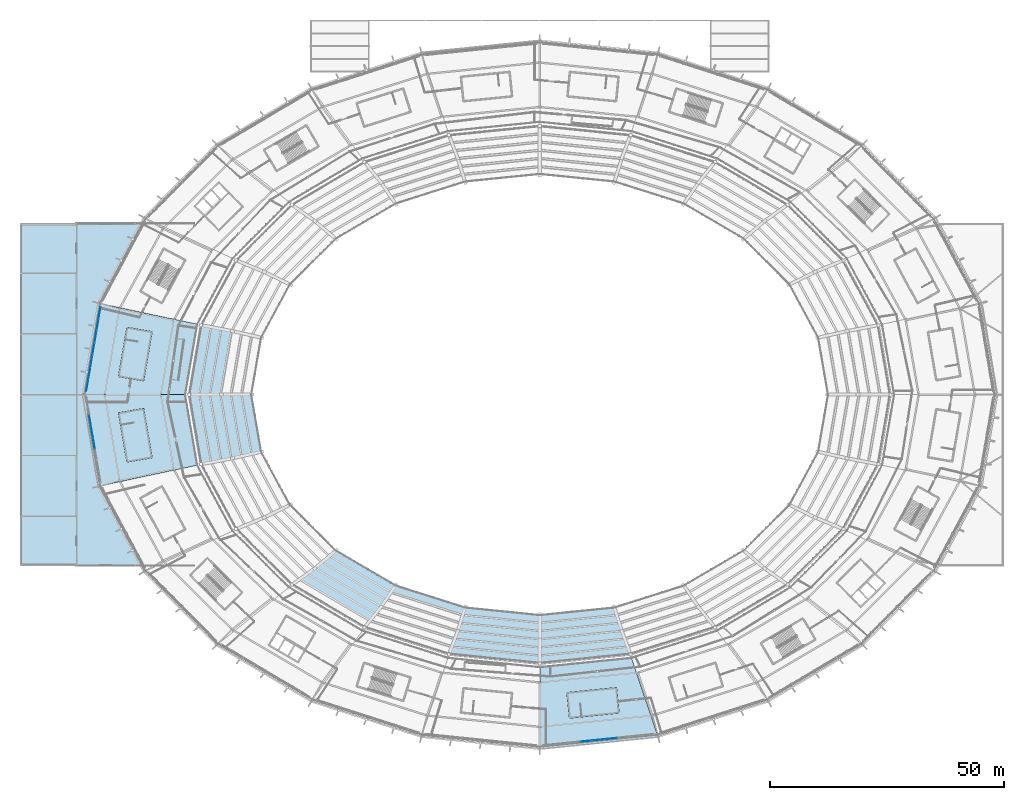
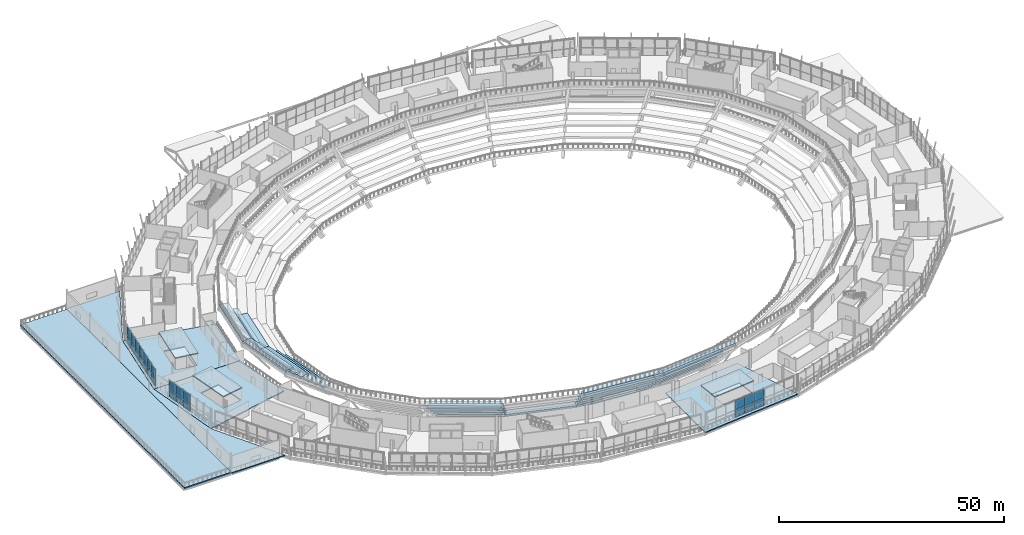
# One storey, part 64 of 126: 35 slabs, 26 plates, 3 elements without a shape of their own.
"""IFC4 building model written with IfcOpenShell, lengths in metres."""

from ifc_helpers import new_model, si_unit, direction, frame, origin, origin_2d, place, context, subcontext, project, spatial, polyline, rectangle, outline, extrude, material, layer, layer_set, type_object, element, aggregate, save


model = new_model("IFC4")

# Units and contexts
model_context = context("Model", 3, precision=1e-05, world=origin(), true_north=direction((0.0, 1.0)))
body_context = subcontext(model_context, "Body", "Model", "MODEL_VIEW")
ifc_project = project(units=[si_unit("LENGTHUNIT", "METRE"), si_unit("AREAUNIT", "SQUARE_METRE"), si_unit("VOLUMEUNIT", "CUBIC_METRE"), si_unit("PLANEANGLEUNIT", "RADIAN"), si_unit("MASSUNIT", "GRAM", prefix="KILO")], contexts=[model_context])

# Site, building, storey
site_placement = place(None, origin())
site = spatial("IfcSite", under=ifc_project, at=site_placement, CompositionType="ELEMENT")
building_placement = place(site_placement, origin())
building = spatial("IfcBuilding", under=site, at=building_placement, Name="Zlatoyarsky Gate Stadium", CompositionType="ELEMENT")
storey_placement = place(building_placement, frame((0.0, 0.0, 20.800048828125)))
storey = spatial("IfcBuildingStorey", under=building, at=storey_placement, Name="L04", CompositionType="ELEMENT", Elevation=20.800048828125)

# Curtain wall, plates
ifc_material_1 = material(Name="Thermally broken anodised aluminium curtain wall", Category="aluminium")
curtain_wall_type_1 = type_object("IfcCurtainWallType", Name="MONUMENTAL ARCHED GATE GLAZING LOWER", PredefinedType="USERDEFINED", material=ifc_material_1)
curtain_wall_1_placement = place(storey_placement, origin())
curtain_wall_1 = element("IfcCurtainWall", 1, at=curtain_wall_1_placement, inside=storey, type_object=curtain_wall_type_1, Name="Curtain wall CW-L04-12", ObjectType="ARCHED GATE GLAZING", PredefinedType="USERDEFINED")
ifc_material_2 = material(Name="Triple-glazed argon low-e architectural glass", Category="glass")
ifc_layer_1 = layer(ifc_material_2, 0.0458984375)
ifc_layer_set_1 = layer_set([ifc_layer_1], Name="Triple-glazed argon low-e architectural glass")
plate_type_1 = type_object("IfcPlateType", Name="ACOUSTIC LAMINATED GATE GLAZING PANEL 46", PredefinedType="CURTAIN_PANEL", material=ifc_layer_set_1)
plate_1_placement = place(storey_placement, frame((14.884765625, 74.39453125, 0.074951171875), z_axis=(0.0, 0.0, 1.0), x_axis=(0.167822419114, -0.985817242516, 0.0)))
plate_1 = element("IfcPlate", 2, at=plate_1_placement, type_object=plate_type_1, Name="CW-AG1 panel 1.1", PredefinedType="CURTAIN_PANEL", context=body_context, shape_type="SweptSolid", body=[
    extrude(rectangle(XDim=2.322265625, YDim=0.0458984375, at=origin_2d()), origin(), (0.0, 0.0, 1.0), 2.03759765625),
])
plate_2_placement = place(storey_placement, frame((14.884765625, 74.39453125, 2.1875), z_axis=(0.0, 0.0, 1.0), x_axis=(0.167822419114, -0.985817242516, 0.0)))
plate_2 = element("IfcPlate", 3, at=plate_2_placement, type_object=plate_type_1, Name="CW-AG1 panel 1.2", PredefinedType="CURTAIN_PANEL", context=body_context, shape_type="SweptSolid", body=[
    extrude(rectangle(XDim=2.322265625, YDim=0.0458984375, at=origin_2d()), origin(), (0.0, 0.0, 1.0), 2.357421875),
])
plate_3_placement = place(storey_placement, frame((15.2900390625, 72.0126953125, 0.074951171875), z_axis=(0.0, 0.0, 1.0), x_axis=(0.167822419114, -0.985817242516, 0.0)))
plate_3 = element("IfcPlate", 4, at=plate_3_placement, type_object=plate_type_1, Name="CW-AG1 panel 2.1", PredefinedType="CURTAIN_PANEL", context=body_context, shape_type="SweptSolid", body=[
    extrude(rectangle(XDim=2.35986328125, YDim=0.0458984375, at=origin_2d()), origin(), (0.0, 0.0, 1.0), 2.03759765625),
])
plate_4_placement = place(storey_placement, frame((15.2900390625, 72.0126953125, 2.1875), z_axis=(0.0, 0.0, 1.0), x_axis=(0.167822419114, -0.985817242516, 0.0)))
plate_4 = element("IfcPlate", 5, at=plate_4_placement, type_object=plate_type_1, Name="CW-AG1 panel 2.2", PredefinedType="CURTAIN_PANEL", context=body_context, shape_type="SweptSolid", body=[
    extrude(rectangle(XDim=2.35986328125, YDim=0.0458984375, at=origin_2d()), origin(), (0.0, 0.0, 1.0), 2.357421875),
])
plate_5_placement = place(storey_placement, frame((15.69873046875, 69.6123046875, 0.074951171875), z_axis=(0.0, 0.0, 1.0), x_axis=(0.167822419114, -0.985817242516, 0.0)))
plate_5 = element("IfcPlate", 6, at=plate_5_placement, type_object=plate_type_1, Name="CW-AG1 panel 3.1", PredefinedType="CURTAIN_PANEL", context=body_context, shape_type="SweptSolid", body=[
    extrude(rectangle(XDim=2.35986328125, YDim=0.0458984375, at=origin_2d()), origin(), (0.0, 0.0, 1.0), 2.03759765625),
])
plate_6_placement = place(storey_placement, frame((15.69873046875, 69.6123046875, 2.1875), z_axis=(0.0, 0.0, 1.0), x_axis=(0.167822419114, -0.985817242516, 0.0)))
plate_6 = element("IfcPlate", 7, at=plate_6_placement, type_object=plate_type_1, Name="CW-AG1 panel 3.2", PredefinedType="CURTAIN_PANEL", context=body_context, shape_type="SweptSolid", body=[
    extrude(rectangle(XDim=2.35986328125, YDim=0.0458984375, at=origin_2d()), origin(), (0.0, 0.0, 1.0), 2.357421875),
])
aggregate(curtain_wall_1, [plate_1, plate_2, plate_3, plate_4, plate_5, plate_6])

curtain_wall_2_placement = place(storey_placement, origin())
curtain_wall_2 = element("IfcCurtainWall", 8, at=curtain_wall_2_placement, inside=storey, type_object=curtain_wall_type_1, Name="Curtain wall CW-L04-18", ObjectType="ARCHED GATE GLAZING", PredefinedType="USERDEFINED")
plate_7_placement = place(storey_placement, frame((120.9140625, 5.939697265625, 0.074951171875), z_axis=(0.0, 0.0, 1.0), x_axis=(0.994856644007, 0.10129293102, 0.0)))
plate_7 = element("IfcPlate", 9, at=plate_7_placement, type_object=plate_type_1, Name="CW-AG1 panel 4.1", PredefinedType="CURTAIN_PANEL", context=body_context, shape_type="SweptSolid", body=[
    extrude(rectangle(XDim=2.58642578125, YDim=0.0458984375, at=origin_2d()), origin(), (0.0, 0.0, 1.0), 2.03759765625),
])
plate_8_placement = place(storey_placement, frame((120.9140625, 5.939697265625, 2.1875), z_axis=(0.0, 0.0, 1.0), x_axis=(0.994856644007, 0.10129293102, 0.0)))
plate_8 = element("IfcPlate", 10, at=plate_8_placement, type_object=plate_type_1, Name="CW-AG1 panel 4.2", PredefinedType="CURTAIN_PANEL", context=body_context, shape_type="SweptSolid", body=[
    extrude(rectangle(XDim=2.58642578125, YDim=0.0458984375, at=origin_2d()), origin(), (0.0, 0.0, 1.0), 2.357421875),
])
plate_9_placement = place(storey_placement, frame((123.561767578125, 6.209228515625, 0.074951171875), z_axis=(0.0, 0.0, 1.0), x_axis=(0.994856644007, 0.10129293102, 0.0)))
plate_9 = element("IfcPlate", 11, at=plate_9_placement, type_object=plate_type_1, Name="CW-AG1 panel 5.1", PredefinedType="CURTAIN_PANEL", context=body_context, shape_type="SweptSolid", body=[
    extrude(rectangle(XDim=2.58642578125, YDim=0.0458984375, at=origin_2d()), origin(), (0.0, 0.0, 1.0), 2.03759765625),
])
plate_10_placement = place(storey_placement, frame((123.561767578125, 6.209228515625, 2.1875), z_axis=(0.0, 0.0, 1.0), x_axis=(0.994856644007, 0.10129293102, 0.0)))
plate_10 = element("IfcPlate", 12, at=plate_10_placement, type_object=plate_type_1, Name="CW-AG1 panel 5.2", PredefinedType="CURTAIN_PANEL", context=body_context, shape_type="SweptSolid", body=[
    extrude(rectangle(XDim=2.58642578125, YDim=0.0458984375, at=origin_2d()), origin(), (0.0, 0.0, 1.0), 2.357421875),
])
plate_11_placement = place(storey_placement, frame((126.20947265625, 6.47900390625, 0.074951171875), z_axis=(0.0, 0.0, 1.0), x_axis=(0.994856644007, 0.10129293102, 0.0)))
plate_11 = element("IfcPlate", 13, at=plate_11_placement, type_object=plate_type_1, Name="CW-AG1 panel 6.1", PredefinedType="CURTAIN_PANEL", context=body_context, shape_type="SweptSolid", body=[
    extrude(rectangle(XDim=2.58642578125, YDim=0.0458984375, at=origin_2d()), origin(), (0.0, 0.0, 1.0), 2.03759765625),
])
plate_12_placement = place(storey_placement, frame((126.20947265625, 6.47900390625, 2.1875), z_axis=(0.0, 0.0, 1.0), x_axis=(0.994856644007, 0.10129293102, 0.0)))
plate_12 = element("IfcPlate", 14, at=plate_12_placement, type_object=plate_type_1, Name="CW-AG1 panel 6.2", PredefinedType="CURTAIN_PANEL", context=body_context, shape_type="SweptSolid", body=[
    extrude(rectangle(XDim=2.58642578125, YDim=0.0458984375, at=origin_2d()), origin(), (0.0, 0.0, 1.0), 2.357421875),
])
aggregate(curtain_wall_2, [plate_7, plate_8, plate_9, plate_10, plate_11, plate_12])

# Slabs
ifc_material_3 = material(Name="Concrete C40/50", Category="concrete")
ifc_layer_2 = layer(ifc_material_3, 0.300048828125)
ifc_layer_set_2 = layer_set([ifc_layer_2], Name="Concrete C40/50")
slab_type_1 = type_object("IfcSlabType", Name="CONCRETE CONCOURSE SLAB 300", PredefinedType="FLOOR", material=ifc_layer_set_2)
slab_1_placement = place(storey_placement, frame((0.0, 0.0, -0.300048828125)))
element("IfcSlab", 15, at=slab_1_placement, inside=storey, type_object=slab_type_1, Name="L04 bowl sector 11 slab", PredefinedType="FLOOR", context=body_context, shape_type="SweptSolid", body=[
    extrude(outline(polyline([(35.39990234375, 80.0), (13.23046875, 80.0), (16.561767578125, 99.610595703125), (37.97607421875, 95.037353515625), (35.39990234375, 80.0)]), holes=[polyline([(22.525390625, 91.7080078125), (21.208251953125, 84.07080078125), (26.135498046875, 83.22119140625), (27.452392578125, 90.8583984375), (22.525390625, 91.7080078125)])]), origin(), (0.0, 0.0, 1.0), 0.300048828125),
])
slab_2_placement = place(storey_placement, frame((0.0, 0.0, -0.300048828125)))
element("IfcSlab", 16, at=slab_2_placement, inside=storey, type_object=slab_type_1, Name="L04 bowl sector 12 slab", PredefinedType="FLOOR", context=body_context, shape_type="SweptSolid", body=[
    extrude(outline(polyline([(37.97607421875, 64.962646484375), (16.561767578125, 60.389404296875), (13.23046875, 80.0), (35.39990234375, 80.0), (37.97607421875, 64.962646484375)]), holes=[polyline([(21.62451171875, 73.514892578125), (22.941650390625, 65.877685546875), (27.868896484375, 66.727294921875), (26.552001953125, 74.364501953125), (21.62451171875, 73.514892578125)])]), origin(), (0.0, 0.0, 1.0), 0.300048828125),
])
slab_3_placement = place(storey_placement, frame((0.0, 0.0, -0.300048828125)))
element("IfcSlab", 17, at=slab_3_placement, inside=storey, type_object=slab_type_1, Name="L04 bowl sector 18 slab", PredefinedType="FLOOR", context=body_context, shape_type="SweptSolid", body=[
    extrude(outline(polyline([(130.566650390625, 23.879638671875), (136.3046875, 6.812255859375), (111.0, 4.23046875), (111.0, 21.89990234375), (130.566650390625, 23.879638671875)]), holes=[polyline([(119.99609375, 11.379150390625), (127.707275390625, 12.154296875), (127.207275390625, 17.129150390625), (119.49609375, 16.35400390625), (119.99609375, 11.379150390625)])]), origin(), (0.0, 0.0, 1.0), 0.300048828125),
])
slab_4_placement = place(storey_placement, frame((0.0, 0.0, -0.300048828125)))
element("IfcSlab", 18, at=slab_4_placement, inside=storey, type_object=slab_type_1, Name="L04 wing V4_WEST slab", PredefinedType="FLOOR", context=body_context, shape_type="SweptSolid", body=[
    extrude(outline(polyline([(25.717041015625, 116.739990234375), (16.561767578125, 99.610595703125), (13.23046875, 80.0), (16.561767578125, 60.389404296875), (25.717041015625, 43.260009765625), (12.0, 43.260009765625), (12.0, 116.739990234375), (25.717041015625, 116.739990234375)])), origin(), (0.0, 0.0, 1.0), 0.300048828125),
])
ifc_layer_3 = layer(ifc_material_3, 0.239990234375)
ifc_layer_set_3 = layer_set([ifc_layer_3], Name="Concrete C40/50")
slab_type_2 = type_object("IfcSlabType", Name="CONCRETE CORE TOP CAP SLAB 240", PredefinedType="ROOF", material=ifc_layer_set_3)
slab_5_placement = place(storey_placement, frame((0.0, 0.0, 3.199951171875)))
element("IfcSlab", 19, at=slab_5_placement, inside=storey, type_object=slab_type_2, Name="ST-07 stair headhouse roof cap", PredefinedType="ROOF", context=body_context, shape_type="SweptSolid", body=[
    extrude(outline(polyline([(20.91943359375, 76.133056640625), (22.73779296875, 65.588623046875), (28.15771484375, 66.5234375), (26.33935546875, 77.067626953125), (20.91943359375, 76.133056640625)])), origin(), (0.0, 0.0, 1.0), 0.239990234375),
])
slab_6_placement = place(storey_placement, frame((0.0, 0.0, 3.199951171875)))
element("IfcSlab", 20, at=slab_6_placement, inside=storey, type_object=slab_type_2, Name="ST-10 stair headhouse roof cap", PredefinedType="ROOF", context=body_context, shape_type="SweptSolid", body=[
    extrude(outline(polyline([(117.334716796875, 10.8603515625), (127.98095703125, 11.930419921875), (127.430908203125, 17.40283203125), (116.78466796875, 16.332763671875), (117.334716796875, 10.8603515625)])), origin(), (0.0, 0.0, 1.0), 0.239990234375),
])
slab_7_placement = place(storey_placement, frame((0.0, 0.0, 3.199951171875)))
element("IfcSlab", 21, at=slab_7_placement, inside=storey, type_object=slab_type_2, Name="ST-18 stair headhouse roof cap", PredefinedType="ROOF", context=body_context, shape_type="SweptSolid", body=[
    extrude(outline(polyline([(22.73779296875, 94.4111328125), (20.91943359375, 83.866943359375), (26.33935546875, 82.93212890625), (28.15771484375, 93.4765625), (22.73779296875, 94.4111328125)])), origin(), (0.0, 0.0, 1.0), 0.239990234375),
])
ifc_layer_4 = layer(ifc_material_3, 0.320068359375)
ifc_layer_set_4 = layer_set([ifc_layer_4], Name="Concrete C40/50")
slab_type_3 = type_object("IfcSlabType", Name="CONCRETE OUTDOOR TERRACE SLAB 320", PredefinedType="FLOOR", material=ifc_layer_set_4)
slab_8_placement = place(storey_placement, frame((0.0, 0.0, -0.320068359375)))
element("IfcSlab", 22, at=slab_8_placement, inside=storey, type_object=slab_type_3, Name="L04 outdoor roof terrace WEST_L04", PredefinedType="FLOOR", context=body_context, shape_type="SweptSolid", body=[
    extrude(outline(polyline([(0.0, 43.5), (0.0, 116.5), (12.0, 116.5), (12.0, 43.5), (0.0, 43.5)])), origin(), (0.0, 0.0, 1.0), 0.320068359375),
])
ifc_material_4 = material(Name="Precast concrete C40/50", Category="concrete")
ifc_layer_5 = layer(ifc_material_4, 0.56005859375)
ifc_layer_set_5 = layer_set([ifc_layer_5], Name="Precast concrete C40/50")
slab_type_4 = type_object("IfcSlabType", Name="PRECAST UPPER SEATING TIER UNIT 560", PredefinedType="USERDEFINED", material=ifc_layer_set_5)
slab_9_placement = place(storey_placement, frame((0.0, 0.0, 0.739990234375)))
element("IfcSlab", 23, at=slab_9_placement, inside=storey, type_object=slab_type_4, Name="Upper seating tier sector 11 row 4", ObjectType="SEATING TIER", PredefinedType="USERDEFINED", context=body_context, shape_type="SweptSolid", body=[
    extrude(outline(polyline([(45.07568359375, 93.523193359375), (42.902099609375, 93.976318359375), (40.5, 80.0), (42.75, 80.0), (45.07568359375, 93.523193359375)])), origin(), (0.0, 0.0, 1.0), 0.56005859375),
])
slab_10_placement = place(storey_placement, frame((0.0, 0.0, 2.639892578125)))
element("IfcSlab", 24, at=slab_10_placement, inside=storey, type_object=slab_type_4, Name="Upper seating tier sector 11 row 5", ObjectType="SEATING TIER", PredefinedType="USERDEFINED", context=body_context, shape_type="SweptSolid", body=[
    extrude(outline(polyline([(42.902099609375, 93.976318359375), (40.72900390625, 94.42919921875), (38.25, 80.0), (40.5, 80.0), (42.902099609375, 93.976318359375)])), origin(), (0.0, 0.0, 1.0), 0.56005859375),
])
slab_11_placement = place(storey_placement, frame((0.0, 0.0, 4.5400390625)))
element("IfcSlab", 25, at=slab_11_placement, inside=storey, type_object=slab_type_4, Name="Upper seating tier sector 11 row 6", ObjectType="SEATING TIER", PredefinedType="USERDEFINED", context=body_context, shape_type="SweptSolid", body=[
    extrude(outline(polyline([(40.72900390625, 94.42919921875), (38.5556640625, 94.882080078125), (36.0, 80.0), (38.25, 80.0), (40.72900390625, 94.42919921875)])), origin(), (0.0, 0.0, 1.0), 0.559814453125),
])
slab_12_placement = place(storey_placement, frame((0.0, 0.0, -4.9599609375)))
element("IfcSlab", 26, at=slab_12_placement, inside=storey, type_object=slab_type_4, Name="Upper seating tier sector 12 row 1", ObjectType="SEATING TIER", PredefinedType="USERDEFINED", context=body_context, shape_type="SweptSolid", body=[
    extrude(outline(polyline([(49.5, 80.0), (47.25, 80.0), (49.422119140625, 67.382568359375), (51.595703125, 67.83544921875), (49.5, 80.0)])), origin(), (0.0, 0.0, 1.0), 0.559814453125),
])
slab_13_placement = place(storey_placement, frame((0.0, 0.0, -3.06005859375)))
element("IfcSlab", 27, at=slab_13_placement, inside=storey, type_object=slab_type_4, Name="Upper seating tier sector 12 row 2", ObjectType="SEATING TIER", PredefinedType="USERDEFINED", context=body_context, shape_type="SweptSolid", body=[
    extrude(outline(polyline([(47.25, 80.0), (45.0, 80.0), (47.248779296875, 66.9296875), (49.422119140625, 67.382568359375), (47.25, 80.0)])), origin(), (0.0, 0.0, 1.0), 0.56005859375),
])
slab_14_placement = place(storey_placement, frame((0.0, 0.0, -1.16015625)))
element("IfcSlab", 28, at=slab_14_placement, inside=storey, type_object=slab_type_4, Name="Upper seating tier sector 12 row 3", ObjectType="SEATING TIER", PredefinedType="USERDEFINED", context=body_context, shape_type="SweptSolid", body=[
    extrude(outline(polyline([(45.0, 80.0), (42.75, 80.0), (45.07568359375, 66.476806640625), (47.248779296875, 66.9296875), (45.0, 80.0)])), origin(), (0.0, 0.0, 1.0), 0.56005859375),
])
slab_15_placement = place(storey_placement, frame((0.0, 0.0, 0.739990234375)))
element("IfcSlab", 29, at=slab_15_placement, inside=storey, type_object=slab_type_4, Name="Upper seating tier sector 12 row 4", ObjectType="SEATING TIER", PredefinedType="USERDEFINED", context=body_context, shape_type="SweptSolid", body=[
    extrude(outline(polyline([(42.75, 80.0), (40.5, 80.0), (42.902099609375, 66.023681640625), (45.07568359375, 66.476806640625), (42.75, 80.0)])), origin(), (0.0, 0.0, 1.0), 0.56005859375),
])
slab_16_placement = place(storey_placement, frame((0.0, 0.0, 2.639892578125)))
element("IfcSlab", 30, at=slab_16_placement, inside=storey, type_object=slab_type_4, Name="Upper seating tier sector 12 row 5", ObjectType="SEATING TIER", PredefinedType="USERDEFINED", context=body_context, shape_type="SweptSolid", body=[
    extrude(outline(polyline([(40.5, 80.0), (38.25, 80.0), (40.72900390625, 65.57080078125), (42.902099609375, 66.023681640625), (40.5, 80.0)])), origin(), (0.0, 0.0, 1.0), 0.56005859375),
])
slab_17_placement = place(storey_placement, frame((0.0, 0.0, 4.5400390625)))
element("IfcSlab", 31, at=slab_17_placement, inside=storey, type_object=slab_type_4, Name="Upper seating tier sector 12 row 6", ObjectType="SEATING TIER", PredefinedType="USERDEFINED", context=body_context, shape_type="SweptSolid", body=[
    extrude(outline(polyline([(38.25, 80.0), (36.0, 80.0), (38.5556640625, 65.117919921875), (40.72900390625, 65.57080078125), (38.25, 80.0)])), origin(), (0.0, 0.0, 1.0), 0.559814453125),
])
slab_18_placement = place(storey_placement, frame((0.0, 0.0, -4.9599609375)))
element("IfcSlab", 32, at=slab_18_placement, inside=storey, type_object=slab_type_4, Name="Upper seating tier sector 15 row 1", ObjectType="SEATING TIER", PredefinedType="USERDEFINED", context=body_context, shape_type="SweptSolid", body=[
    extrude(outline(polyline([(67.512939453125, 46.76611328125), (65.921875, 45.528564453125), (79.125, 37.78125), (80.25, 39.296875), (67.512939453125, 46.76611328125)])), origin(), (0.0, 0.0, 1.0), 0.559814453125),
])
slab_19_placement = place(storey_placement, frame((0.0, 0.0, -3.06005859375)))
element("IfcSlab", 33, at=slab_19_placement, inside=storey, type_object=slab_type_4, Name="Upper seating tier sector 15 row 2", ObjectType="SEATING TIER", PredefinedType="USERDEFINED", context=body_context, shape_type="SweptSolid", body=[
    extrude(outline(polyline([(65.921875, 45.528564453125), (64.3310546875, 44.291015625), (78.0, 36.265625), (79.125, 37.78125), (65.921875, 45.528564453125)])), origin(), (0.0, 0.0, 1.0), 0.56005859375),
])
slab_20_placement = place(storey_placement, frame((0.0, 0.0, -1.16015625)))
element("IfcSlab", 34, at=slab_20_placement, inside=storey, type_object=slab_type_4, Name="Upper seating tier sector 15 row 3", ObjectType="SEATING TIER", PredefinedType="USERDEFINED", context=body_context, shape_type="SweptSolid", body=[
    extrude(outline(polyline([(64.3310546875, 44.291015625), (62.739990234375, 43.0537109375), (76.875, 34.750244140625), (78.0, 36.265625), (64.3310546875, 44.291015625)])), origin(), (0.0, 0.0, 1.0), 0.56005859375),
])
slab_21_placement = place(storey_placement, frame((0.0, 0.0, 0.739990234375)))
element("IfcSlab", 35, at=slab_21_placement, inside=storey, type_object=slab_type_4, Name="Upper seating tier sector 15 row 4", ObjectType="SEATING TIER", PredefinedType="USERDEFINED", context=body_context, shape_type="SweptSolid", body=[
    extrude(outline(polyline([(62.739990234375, 43.0537109375), (61.14892578125, 41.816162109375), (75.75, 33.234619140625), (76.875, 34.750244140625), (62.739990234375, 43.0537109375)])), origin(), (0.0, 0.0, 1.0), 0.56005859375),
])
slab_22_placement = place(storey_placement, frame((0.0, 0.0, 2.639892578125)))
element("IfcSlab", 36, at=slab_22_placement, inside=storey, type_object=slab_type_4, Name="Upper seating tier sector 15 row 5", ObjectType="SEATING TIER", PredefinedType="USERDEFINED", context=body_context, shape_type="SweptSolid", body=[
    extrude(outline(polyline([(61.14892578125, 41.816162109375), (59.55810546875, 40.578857421875), (74.625, 31.718994140625), (75.75, 33.234619140625), (61.14892578125, 41.816162109375)])), origin(), (0.0, 0.0, 1.0), 0.56005859375),
])
slab_23_placement = place(storey_placement, frame((0.0, 0.0, -4.9599609375)))
element("IfcSlab", 37, at=slab_23_placement, inside=storey, type_object=slab_type_4, Name="Upper seating tier sector 16 row 1", ObjectType="SEATING TIER", PredefinedType="USERDEFINED", context=body_context, shape_type="SweptSolid", body=[
    extrude(outline(polyline([(80.25, 39.296875), (79.125, 37.78125), (94.500244140625, 32.9111328125), (95.08251953125, 34.6015625), (80.25, 39.296875)])), origin(), (0.0, 0.0, 1.0), 0.559814453125),
])
slab_24_placement = place(storey_placement, frame((0.0, 0.0, -4.9599609375)))
element("IfcSlab", 38, at=slab_24_placement, inside=storey, type_object=slab_type_4, Name="Upper seating tier sector 17 row 1", ObjectType="SEATING TIER", PredefinedType="USERDEFINED", context=body_context, shape_type="SweptSolid", body=[
    extrude(outline(polyline([(95.08251953125, 34.6015625), (94.500244140625, 32.9111328125), (111.0, 31.25), (111.0, 33.0), (95.08251953125, 34.6015625)])), origin(), (0.0, 0.0, 1.0), 0.559814453125),
])
slab_25_placement = place(storey_placement, frame((0.0, 0.0, -3.06005859375)))
element("IfcSlab", 39, at=slab_25_placement, inside=storey, type_object=slab_type_4, Name="Upper seating tier sector 17 row 2", ObjectType="SEATING TIER", PredefinedType="USERDEFINED", context=body_context, shape_type="SweptSolid", body=[
    extrude(outline(polyline([(94.500244140625, 32.9111328125), (93.91796875, 31.220703125), (111.0, 29.5), (111.0, 31.25), (94.500244140625, 32.9111328125)])), origin(), (0.0, 0.0, 1.0), 0.56005859375),
])
slab_26_placement = place(storey_placement, frame((0.0, 0.0, -1.16015625)))
element("IfcSlab", 40, at=slab_26_placement, inside=storey, type_object=slab_type_4, Name="Upper seating tier sector 17 row 3", ObjectType="SEATING TIER", PredefinedType="USERDEFINED", context=body_context, shape_type="SweptSolid", body=[
    extrude(outline(polyline([(93.91796875, 31.220703125), (93.335693359375, 29.530517578125), (111.0, 27.75), (111.0, 29.5), (93.91796875, 31.220703125)])), origin(), (0.0, 0.0, 1.0), 0.56005859375),
])
slab_27_placement = place(storey_placement, frame((0.0, 0.0, 0.739990234375)))
element("IfcSlab", 41, at=slab_27_placement, inside=storey, type_object=slab_type_4, Name="Upper seating tier sector 17 row 4", ObjectType="SEATING TIER", PredefinedType="USERDEFINED", context=body_context, shape_type="SweptSolid", body=[
    extrude(outline(polyline([(93.335693359375, 29.530517578125), (92.75341796875, 27.840087890625), (111.0, 26.0), (111.0, 27.75), (93.335693359375, 29.530517578125)])), origin(), (0.0, 0.0, 1.0), 0.56005859375),
])
slab_28_placement = place(storey_placement, frame((0.0, 0.0, 2.639892578125)))
element("IfcSlab", 42, at=slab_28_placement, inside=storey, type_object=slab_type_4, Name="Upper seating tier sector 17 row 5", ObjectType="SEATING TIER", PredefinedType="USERDEFINED", context=body_context, shape_type="SweptSolid", body=[
    extrude(outline(polyline([(92.75341796875, 27.840087890625), (92.1708984375, 26.149658203125), (111.0, 24.25), (111.0, 26.0), (92.75341796875, 27.840087890625)])), origin(), (0.0, 0.0, 1.0), 0.56005859375),
])
slab_29_placement = place(storey_placement, frame((0.0, 0.0, 4.5400390625)))
element("IfcSlab", 43, at=slab_29_placement, inside=storey, type_object=slab_type_4, Name="Upper seating tier sector 17 row 6", ObjectType="SEATING TIER", PredefinedType="USERDEFINED", context=body_context, shape_type="SweptSolid", body=[
    extrude(outline(polyline([(92.1708984375, 26.149658203125), (91.588623046875, 24.459228515625), (111.0, 22.5), (111.0, 24.25), (92.1708984375, 26.149658203125)])), origin(), (0.0, 0.0, 1.0), 0.559814453125),
])
slab_30_placement = place(storey_placement, frame((0.0, 0.0, -4.9599609375)))
element("IfcSlab", 44, at=slab_30_placement, inside=storey, type_object=slab_type_4, Name="Upper seating tier sector 18 row 1", ObjectType="SEATING TIER", PredefinedType="USERDEFINED", context=body_context, shape_type="SweptSolid", body=[
    extrude(outline(polyline([(111.0, 33.0), (111.0, 31.25), (127.499755859375, 32.9111328125), (126.91748046875, 34.6015625), (111.0, 33.0)])), origin(), (0.0, 0.0, 1.0), 0.559814453125),
])
slab_31_placement = place(storey_placement, frame((0.0, 0.0, -3.06005859375)))
element("IfcSlab", 45, at=slab_31_placement, inside=storey, type_object=slab_type_4, Name="Upper seating tier sector 18 row 2", ObjectType="SEATING TIER", PredefinedType="USERDEFINED", context=body_context, shape_type="SweptSolid", body=[
    extrude(outline(polyline([(111.0, 31.25), (111.0, 29.5), (128.08203125, 31.220703125), (127.499755859375, 32.9111328125), (111.0, 31.25)])), origin(), (0.0, 0.0, 1.0), 0.56005859375),
])
slab_32_placement = place(storey_placement, frame((0.0, 0.0, -1.16015625)))
element("IfcSlab", 46, at=slab_32_placement, inside=storey, type_object=slab_type_4, Name="Upper seating tier sector 18 row 3", ObjectType="SEATING TIER", PredefinedType="USERDEFINED", context=body_context, shape_type="SweptSolid", body=[
    extrude(outline(polyline([(111.0, 29.5), (111.0, 27.75), (128.664306640625, 29.530517578125), (128.08203125, 31.220703125), (111.0, 29.5)])), origin(), (0.0, 0.0, 1.0), 0.56005859375),
])
slab_33_placement = place(storey_placement, frame((0.0, 0.0, 0.739990234375)))
element("IfcSlab", 47, at=slab_33_placement, inside=storey, type_object=slab_type_4, Name="Upper seating tier sector 18 row 4", ObjectType="SEATING TIER", PredefinedType="USERDEFINED", context=body_context, shape_type="SweptSolid", body=[
    extrude(outline(polyline([(111.0, 27.75), (111.0, 26.0), (129.24658203125, 27.840087890625), (128.664306640625, 29.530517578125), (111.0, 27.75)])), origin(), (0.0, 0.0, 1.0), 0.56005859375),
])
slab_34_placement = place(storey_placement, frame((0.0, 0.0, 2.639892578125)))
element("IfcSlab", 48, at=slab_34_placement, inside=storey, type_object=slab_type_4, Name="Upper seating tier sector 18 row 5", ObjectType="SEATING TIER", PredefinedType="USERDEFINED", context=body_context, shape_type="SweptSolid", body=[
    extrude(outline(polyline([(111.0, 26.0), (111.0, 24.25), (129.8291015625, 26.149658203125), (129.24658203125, 27.840087890625), (111.0, 26.0)])), origin(), (0.0, 0.0, 1.0), 0.56005859375),
])
slab_35_placement = place(storey_placement, frame((0.0, 0.0, 4.5400390625)))
element("IfcSlab", 49, at=slab_35_placement, inside=storey, type_object=slab_type_4, Name="Upper seating tier sector 18 row 6", ObjectType="SEATING TIER", PredefinedType="USERDEFINED", context=body_context, shape_type="SweptSolid", body=[
    extrude(outline(polyline([(111.0, 24.25), (111.0, 22.5), (130.411376953125, 24.459228515625), (129.8291015625, 26.149658203125), (111.0, 24.25)])), origin(), (0.0, 0.0, 1.0), 0.559814453125),
])

# Curtain wall, plates
curtain_wall_type_2 = type_object("IfcCurtainWallType", Name="UNITISED MEDIA RING GLAZING L04", PredefinedType="USERDEFINED", material=ifc_material_1)
curtain_wall_3_placement = place(storey_placement, origin())
curtain_wall_3 = element("IfcCurtainWall", 50, at=curtain_wall_3_placement, inside=storey, type_object=curtain_wall_type_2, Name="Curtain wall CW-L04-11", ObjectType="UNITISED GLAZING", PredefinedType="USERDEFINED")
ifc_layer_6 = layer(ifc_material_2, 0.0380859375)
ifc_layer_set_6 = layer_set([ifc_layer_6], Name="Triple-glazed argon low-e architectural glass")
plate_type_2 = type_object("IfcPlateType", Name="TRIPLE GLAZED LOW E CURTAIN PANEL 38", PredefinedType="CURTAIN_PANEL", material=ifc_layer_set_6)
plate_13_placement = place(storey_placement, frame((16.905517578125, 97.476318359375, 0.06494140625), z_axis=(0.0, 0.0, 1.0), x_axis=(-0.167821138782, -0.985817460475, 0.0)))
plate_13 = element("IfcPlate", 51, at=plate_13_placement, type_object=plate_type_2, Name="CW-UG4 panel 1.1", PredefinedType="CURTAIN_PANEL", context=body_context, shape_type="SweptSolid", body=[
    extrude(rectangle(XDim=2.5322265625, YDim=0.0380859375, at=origin_2d()), origin(), (0.0, 0.0, 1.0), 2.052490234375),
])
plate_14_placement = place(storey_placement, frame((16.905517578125, 97.476318359375, 2.182373046875), z_axis=(0.0, 0.0, 1.0), x_axis=(-0.167821138782, -0.985817460475, 0.0)))
plate_14 = element("IfcPlate", 52, at=plate_14_placement, type_object=plate_type_2, Name="CW-UG4 panel 1.2", PredefinedType="CURTAIN_PANEL", context=body_context, shape_type="SweptSolid", body=[
    extrude(rectangle(XDim=2.5322265625, YDim=0.0380859375, at=origin_2d()), origin(), (0.0, 0.0, 1.0), 2.37255859375),
])
plate_15_placement = place(storey_placement, frame((16.466796875, 94.89990234375, 0.06494140625), z_axis=(0.0, 0.0, 1.0), x_axis=(-0.167821138782, -0.985817460475, 0.0)))
plate_15 = element("IfcPlate", 53, at=plate_15_placement, type_object=plate_type_2, Name="CW-UG4 panel 2.1", PredefinedType="CURTAIN_PANEL", context=body_context, shape_type="SweptSolid", body=[
    extrude(rectangle(XDim=2.56494140625, YDim=0.0380859375, at=origin_2d()), origin(), (0.0, 0.0, 1.0), 2.052490234375),
])
plate_16_placement = place(storey_placement, frame((16.466796875, 94.89990234375, 2.182373046875), z_axis=(0.0, 0.0, 1.0), x_axis=(-0.167821138782, -0.985817460475, 0.0)))
plate_16 = element("IfcPlate", 54, at=plate_16_placement, type_object=plate_type_2, Name="CW-UG4 panel 2.2", PredefinedType="CURTAIN_PANEL", context=body_context, shape_type="SweptSolid", body=[
    extrude(rectangle(XDim=2.56494140625, YDim=0.0380859375, at=origin_2d()), origin(), (0.0, 0.0, 1.0), 2.37255859375),
])
plate_17_placement = place(storey_placement, frame((16.025634765625, 92.30712890625, 0.06494140625), z_axis=(0.0, 0.0, 1.0), x_axis=(-0.167821138782, -0.985817460475, 0.0)))
plate_17 = element("IfcPlate", 55, at=plate_17_placement, type_object=plate_type_2, Name="CW-UG4 panel 3.1", PredefinedType="CURTAIN_PANEL", context=body_context, shape_type="SweptSolid", body=[
    extrude(rectangle(XDim=2.56494140625, YDim=0.0380859375, at=origin_2d()), origin(), (0.0, 0.0, 1.0), 2.052490234375),
])
plate_18_placement = place(storey_placement, frame((16.025634765625, 92.30712890625, 2.182373046875), z_axis=(0.0, 0.0, 1.0), x_axis=(-0.167821138782, -0.985817460475, 0.0)))
plate_18 = element("IfcPlate", 56, at=plate_18_placement, type_object=plate_type_2, Name="CW-UG4 panel 3.2", PredefinedType="CURTAIN_PANEL", context=body_context, shape_type="SweptSolid", body=[
    extrude(rectangle(XDim=2.56494140625, YDim=0.0380859375, at=origin_2d()), origin(), (0.0, 0.0, 1.0), 2.37255859375),
])
plate_19_placement = place(storey_placement, frame((15.584228515625, 89.714599609375, 0.06494140625), z_axis=(0.0, 0.0, 1.0), x_axis=(-0.167821138782, -0.985817460475, 0.0)))
plate_19 = element("IfcPlate", 57, at=plate_19_placement, type_object=plate_type_2, Name="CW-UG4 panel 4.1", PredefinedType="CURTAIN_PANEL", context=body_context, shape_type="SweptSolid", body=[
    extrude(rectangle(XDim=2.56494140625, YDim=0.0380859375, at=origin_2d()), origin(), (0.0, 0.0, 1.0), 2.052490234375),
])
plate_20_placement = place(storey_placement, frame((15.584228515625, 89.714599609375, 2.182373046875), z_axis=(0.0, 0.0, 1.0), x_axis=(-0.167821138782, -0.985817460475, 0.0)))
plate_20 = element("IfcPlate", 58, at=plate_20_placement, type_object=plate_type_2, Name="CW-UG4 panel 4.2", PredefinedType="CURTAIN_PANEL", context=body_context, shape_type="SweptSolid", body=[
    extrude(rectangle(XDim=2.56494140625, YDim=0.0380859375, at=origin_2d()), origin(), (0.0, 0.0, 1.0), 2.37255859375),
])
plate_21_placement = place(storey_placement, frame((15.142822265625, 87.1220703125, 0.06494140625), z_axis=(0.0, 0.0, 1.0), x_axis=(-0.167821138782, -0.985817460475, 0.0)))
plate_21 = element("IfcPlate", 59, at=plate_21_placement, type_object=plate_type_2, Name="CW-UG4 panel 5.1", PredefinedType="CURTAIN_PANEL", context=body_context, shape_type="SweptSolid", body=[
    extrude(rectangle(XDim=2.56494140625, YDim=0.0380859375, at=origin_2d()), origin(), (0.0, 0.0, 1.0), 2.052490234375),
])
plate_22_placement = place(storey_placement, frame((15.142822265625, 87.1220703125, 2.182373046875), z_axis=(0.0, 0.0, 1.0), x_axis=(-0.167821138782, -0.985817460475, 0.0)))
plate_22 = element("IfcPlate", 60, at=plate_22_placement, type_object=plate_type_2, Name="CW-UG4 panel 5.2", PredefinedType="CURTAIN_PANEL", context=body_context, shape_type="SweptSolid", body=[
    extrude(rectangle(XDim=2.56494140625, YDim=0.0380859375, at=origin_2d()), origin(), (0.0, 0.0, 1.0), 2.37255859375),
])
plate_23_placement = place(storey_placement, frame((14.701416015625, 84.529541015625, 0.06494140625), z_axis=(0.0, 0.0, 1.0), x_axis=(-0.167821138782, -0.985817460475, 0.0)))
plate_23 = element("IfcPlate", 61, at=plate_23_placement, type_object=plate_type_2, Name="CW-UG4 panel 6.1", PredefinedType="CURTAIN_PANEL", context=body_context, shape_type="SweptSolid", body=[
    extrude(rectangle(XDim=2.56494140625, YDim=0.0380859375, at=origin_2d()), origin(), (0.0, 0.0, 1.0), 2.052490234375),
])
plate_24_placement = place(storey_placement, frame((14.701416015625, 84.529541015625, 2.182373046875), z_axis=(0.0, 0.0, 1.0), x_axis=(-0.167821138782, -0.985817460475, 0.0)))
plate_24 = element("IfcPlate", 62, at=plate_24_placement, type_object=plate_type_2, Name="CW-UG4 panel 6.2", PredefinedType="CURTAIN_PANEL", context=body_context, shape_type="SweptSolid", body=[
    extrude(rectangle(XDim=2.56494140625, YDim=0.0380859375, at=origin_2d()), origin(), (0.0, 0.0, 1.0), 2.37255859375),
])
plate_25_placement = place(storey_placement, frame((14.262939453125, 81.953125, 0.06494140625), z_axis=(0.0, 0.0, 1.0), x_axis=(-0.167821138782, -0.985817460475, 0.0)))
plate_25 = element("IfcPlate", 63, at=plate_25_placement, type_object=plate_type_2, Name="CW-UG4 panel 7.1", PredefinedType="CURTAIN_PANEL", context=body_context, shape_type="SweptSolid", body=[
    extrude(rectangle(XDim=2.5322265625, YDim=0.0380859375, at=origin_2d()), origin(), (0.0, 0.0, 1.0), 2.052490234375),
])
plate_26_placement = place(storey_placement, frame((14.262939453125, 81.953125, 2.182373046875), z_axis=(0.0, 0.0, 1.0), x_axis=(-0.167821138782, -0.985817460475, 0.0)))
plate_26 = element("IfcPlate", 64, at=plate_26_placement, type_object=plate_type_2, Name="CW-UG4 panel 7.2", PredefinedType="CURTAIN_PANEL", context=body_context, shape_type="SweptSolid", body=[
    extrude(rectangle(XDim=2.5322265625, YDim=0.0380859375, at=origin_2d()), origin(), (0.0, 0.0, 1.0), 2.37255859375),
])
aggregate(curtain_wall_3, [plate_13, plate_14, plate_15, plate_16, plate_17, plate_18, plate_19, plate_20, plate_21, plate_22, plate_23, plate_24, plate_25, plate_26])

save(model, "model.ifc")
